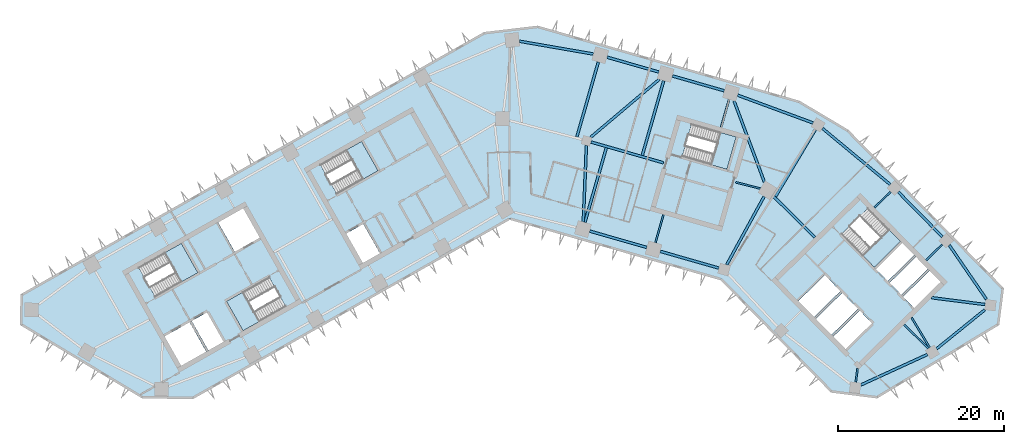
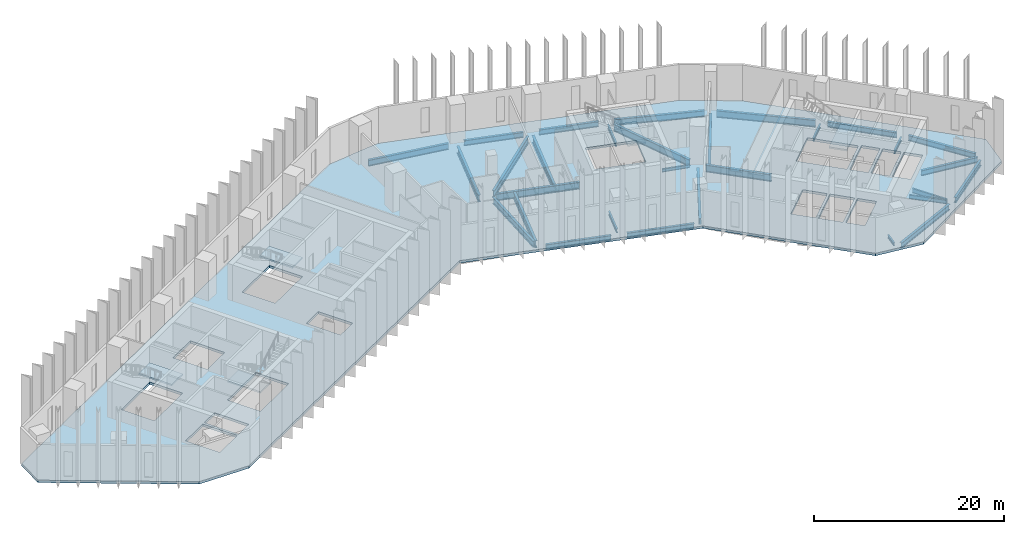
# One storey, part 2 of 11: 30 beams, 6 slabs, 5 elements without a shape of their own.
"""IFC4 building model written with IfcOpenShell, lengths in metres."""

from ifc_helpers import new_model, si_unit, direction, frame, origin, origin_2d, place, context, subcontext, project, spatial, polyline, i_section, outline, extrude, material, layer, layer_set, material_profile, profile_set, type_object, element, aggregate, save


model = new_model("IFC4")

# Units and contexts
model_context = context("Model", 3, precision=1e-05, world=origin(), true_north=direction((0.0, 1.0)))
body_context = subcontext(model_context, "Body", "Model", "MODEL_VIEW")
ifc_project = project(units=[si_unit("LENGTHUNIT", "METRE"), si_unit("AREAUNIT", "SQUARE_METRE"), si_unit("VOLUMEUNIT", "CUBIC_METRE"), si_unit("PLANEANGLEUNIT", "RADIAN"), si_unit("MASSUNIT", "GRAM", prefix="KILO")], contexts=[model_context])

# Site, building, storey
site_placement = place(None, origin())
site = spatial("IfcSite", under=ifc_project, at=site_placement, CompositionType="ELEMENT")
building_placement = place(site_placement, origin())
building = spatial("IfcBuilding", under=site, at=building_placement, Name="Binnacle Exchange Tower", CompositionType="ELEMENT")
storey_placement = place(building_placement, frame((0.0, 0.0, 56.5)))
storey = spatial("IfcBuildingStorey", under=building, at=storey_placement, Name="L11", CompositionType="ELEMENT", Elevation=56.5)

# Beams
ifc_material_1 = material(Name="Steel S355 (SHN355)", Category="steel")
ifc_material_profile_1 = material_profile(ifc_material_1, i_section(OverallWidth=0.300048828125, OverallDepth=0.699951171875, WebThickness=0.012939453125, FlangeThickness=0.02392578125, FilletRadius=0.028076171875, at=origin_2d()), Name="H 700x300x13x24")
ifc_profile_set_1 = profile_set([ifc_material_profile_1], Name="Steel S355 (SHN355)")
beam_type_1 = type_object("IfcBeamType", Name="Edge girder H 700x300x13x24 Steel S355 (SHN355)", PredefinedType="SPANDREL", material=ifc_profile_set_1)
beam_1_placement = place(storey_placement, frame((9.626708984375, 46.488037109375, -0.669921875), z_axis=(0.961260850036, -0.275640305812, 0.0), x_axis=(0.275640305812, 0.961260850036, 0.0)))
element("IfcBeam", 1, at=beam_1_placement, inside=storey, type_object=beam_type_1, Name="S:BM:edge:L11:030", PredefinedType="SPANDREL", context=body_context, shape_type="SweptSolid", body=[
    extrude(i_section(OverallWidth=0.300048828125, OverallDepth=0.699951171875, WebThickness=0.012939453125, FlangeThickness=0.02392578125, FilletRadius=0.028076171875, at=origin_2d()), origin(), (0.0, 0.0, 1.0), 7.120361328125),
])
beam_2_placement = place(storey_placement, frame((17.92919921875, 65.610595703125, -0.669921875), z_axis=(-0.961261624999, 0.275637603213, 0.0), x_axis=(-0.275637603213, -0.961261624999, 0.0)))
element("IfcBeam", 2, at=beam_2_placement, inside=storey, type_object=beam_type_1, Name="S:BM:edge:L11:032", PredefinedType="SPANDREL", context=body_context, shape_type="SweptSolid", body=[
    extrude(i_section(OverallWidth=0.300048828125, OverallDepth=0.699951171875, WebThickness=0.012939453125, FlangeThickness=0.02392578125, FilletRadius=0.028076171875, at=origin_2d()), origin(), (0.0, 0.0, 1.0), 6.472900390625),
])
beam_3_placement = place(storey_placement, frame((18.105224609375, 44.056884765625, -0.669921875), z_axis=(0.96126047873, -0.275641600691, 0.0), x_axis=(0.275641600691, 0.96126047873, 0.0)))
element("IfcBeam", 3, at=beam_3_placement, inside=storey, type_object=beam_type_1, Name="S:BM:edge:L11:033", PredefinedType="SPANDREL", context=body_context, shape_type="SweptSolid", body=[
    extrude(i_section(OverallWidth=0.300048828125, OverallDepth=0.699951171875, WebThickness=0.012939453125, FlangeThickness=0.02392578125, FilletRadius=0.028076171875, at=origin_2d()), origin(), (0.0, 0.0, 1.0), 7.320556640625),
])
beam_4_placement = place(storey_placement, frame((25.78564453125, 63.35791015625, -0.669921875), z_axis=(-0.961271618025, 0.275602751036, 0.0), x_axis=(-0.275602751036, -0.961271618025, 0.0)))
element("IfcBeam", 4, at=beam_4_placement, inside=storey, type_object=beam_type_1, Name="S:BM:edge:L11:034", PredefinedType="SPANDREL", context=body_context, shape_type="SweptSolid", body=[
    extrude(i_section(OverallWidth=0.300048828125, OverallDepth=0.699951171875, WebThickness=0.012939453125, FlangeThickness=0.02392578125, FilletRadius=0.028076171875, at=origin_2d()), origin(), (0.0, 0.0, 1.0), 6.472900390625),
])
beam_5_placement = place(storey_placement, frame((51.322265625, 32.343505859375, -0.669921875), z_axis=(0.777568489665, 0.628798253719, 0.0), x_axis=(-0.628798253719, 0.777568489665, 0.0)))
element("IfcBeam", 5, at=beam_5_placement, inside=storey, type_object=beam_type_1, Name="S:BM:edge:L11:040", PredefinedType="SPANDREL", context=body_context, shape_type="SweptSolid", body=[
    extrude(i_section(OverallWidth=0.300048828125, OverallDepth=0.699951171875, WebThickness=0.012939453125, FlangeThickness=0.02392578125, FilletRadius=0.028076171875, at=origin_2d()), origin(), (0.0, 0.0, 1.0), 7.428955078125),
])
beam_6_placement = place(storey_placement, frame((52.010986328125, 45.802978515625, -0.669921875), z_axis=(-0.700905226564, 0.713254417004, 0.0), x_axis=(-0.713254417004, -0.700905226564, 0.0)))
element("IfcBeam", 6, at=beam_6_placement, inside=storey, type_object=beam_type_1, Name="S:BM:edge:L11:041", PredefinedType="SPANDREL", context=body_context, shape_type="SweptSolid", body=[
    extrude(i_section(OverallWidth=0.300048828125, OverallDepth=0.699951171875, WebThickness=0.012939453125, FlangeThickness=0.02392578125, FilletRadius=0.028076171875, at=origin_2d()), origin(), (0.0, 0.0, 1.0), 7.57177734375),
])
beam_7_placement = place(storey_placement, frame((57.305419921875, 38.299072265625, -0.669921875), z_axis=(-0.566409202341, 0.82412415054, 0.0), x_axis=(-0.82412415054, -0.566409202341, 0.0)))
element("IfcBeam", 7, at=beam_7_placement, inside=storey, type_object=beam_type_1, Name="S:BM:edge:L11:042", PredefinedType="SPANDREL", context=body_context, shape_type="SweptSolid", body=[
    extrude(i_section(OverallWidth=0.300048828125, OverallDepth=0.699951171875, WebThickness=0.012939453125, FlangeThickness=0.02392578125, FilletRadius=0.028076171875, at=origin_2d()), origin(), (0.0, 0.0, 1.0), 7.8828125),
])
ifc_material_profile_2 = material_profile(ifc_material_1, i_section(OverallWidth=0.302001953125, OverallDepth=0.7080078125, WebThickness=0.014892578125, FlangeThickness=0.028076171875, FilletRadius=0.028076171875, at=origin_2d()), Name="H 708x302x15x28")
ifc_profile_set_2 = profile_set([ifc_material_profile_2], Name="Steel S355 (SHN355)")
beam_type_2 = type_object("IfcBeamType", Name="Edge girder H 708x302x15x28 Steel S355 (SHN355)", PredefinedType="SPANDREL", material=ifc_profile_set_2)
beam_8_placement = place(storey_placement, frame((42.215576171875, 27.99365234375, -0.674072265625), z_axis=(0.909179052108, 0.416405392866, 0.0), x_axis=(-0.416405392866, 0.909179052108, 0.0)))
element("IfcBeam", 8, at=beam_8_placement, inside=storey, type_object=beam_type_2, Name="S:BM:edge:L11:038", PredefinedType="SPANDREL", context=body_context, shape_type="SweptSolid", body=[
    extrude(i_section(OverallWidth=0.302001953125, OverallDepth=0.7080078125, WebThickness=0.014892578125, FlangeThickness=0.028076171875, FilletRadius=0.028076171875, at=origin_2d()), origin(), (0.0, 0.0, 1.0), 8.801025390625),
])
ifc_material_profile_3 = material_profile(ifc_material_1, i_section(OverallWidth=0.300048828125, OverallDepth=0.800048828125, WebThickness=0.013916015625, FlangeThickness=0.02587890625, FilletRadius=0.028076171875, at=origin_2d()), Name="H 800x300x14x26")
ifc_profile_set_3 = profile_set([ifc_material_profile_3], Name="Steel S355 (SHN355)")
beam_type_3 = type_object("IfcBeamType", Name="Edge girder H 800x300x14x26 Steel S355 (SHN355)", PredefinedType="SPANDREL", material=ifc_profile_set_3)
beam_9_placement = place(storey_placement, frame((10.047607421875, 67.77490234375, -0.719970703125), z_axis=(-0.985312460293, 0.17076110679, 0.0), x_axis=(-0.17076110679, -0.985312460293, 0.0)))
element("IfcBeam", 9, at=beam_9_placement, inside=storey, type_object=beam_type_3, Name="S:BM:edge:L11:031", PredefinedType="SPANDREL", context=body_context, shape_type="SweptSolid", body=[
    extrude(i_section(OverallWidth=0.300048828125, OverallDepth=0.800048828125, WebThickness=0.013916015625, FlangeThickness=0.02587890625, FilletRadius=0.028076171875, at=origin_2d()), origin(), (0.0, 0.0, 1.0), 9.005859375),
])
ifc_material_profile_4 = material_profile(ifc_material_1, i_section(OverallWidth=0.302001953125, OverallDepth=0.80810546875, WebThickness=0.01611328125, FlangeThickness=0.030029296875, FilletRadius=0.028076171875, at=origin_2d()), Name="H 808x302x16x30")
ifc_profile_set_4 = profile_set([ifc_material_profile_4], Name="Steel S355 (SHN355)")
beam_type_4 = type_object("IfcBeamType", Name="Edge girder H 808x302x16x30 Steel S355 (SHN355)", PredefinedType="SPANDREL", material=ifc_profile_set_4)
beam_10_placement = place(storey_placement, frame((36.464599609375, 59.490966796875, -0.72412109375), z_axis=(-0.938368148393, 0.345637408395, 0.0), x_axis=(-0.345637408395, -0.938368148393, 0.0)))
element("IfcBeam", 10, at=beam_10_placement, inside=storey, type_object=beam_type_4, Name="S:BM:edge:L11:037", PredefinedType="SPANDREL", context=body_context, shape_type="SweptSolid", body=[
    extrude(i_section(OverallWidth=0.302001953125, OverallDepth=0.80810546875, WebThickness=0.01611328125, FlangeThickness=0.030029296875, FilletRadius=0.028076171875, at=origin_2d()), origin(), (0.0, 0.0, 1.0), 9.6572265625),
])
ifc_material_profile_5 = material_profile(ifc_material_1, i_section(OverallWidth=0.300048828125, OverallDepth=0.89990234375, WebThickness=0.01611328125, FlangeThickness=0.028076171875, FilletRadius=0.028076171875, at=origin_2d()), Name="H 900x300x16x28")
ifc_profile_set_5 = profile_set([ifc_material_profile_5], Name="Steel S355 (SHN355)")
beam_type_5 = type_object("IfcBeamType", Name="Edge girder H 900x300x16x28 Steel S355 (SHN355)", PredefinedType="SPANDREL", material=ifc_profile_set_5)
beam_11_placement = place(storey_placement, frame((45.7451171875, 52.084228515625, -0.77001953125), z_axis=(-0.769906025895, 0.638157277864, 0.0), x_axis=(-0.638157277864, -0.769906025895, 0.0)))
element("IfcBeam", 11, at=beam_11_placement, inside=storey, type_object=beam_type_5, Name="S:BM:edge:L11:039", PredefinedType="SPANDREL", context=body_context, shape_type="SweptSolid", body=[
    extrude(i_section(OverallWidth=0.300048828125, OverallDepth=0.89990234375, WebThickness=0.01611328125, FlangeThickness=0.028076171875, FilletRadius=0.028076171875, at=origin_2d()), origin(), (0.0, 0.0, 1.0), 10.59033203125),
])
ifc_material_profile_6 = material_profile(ifc_material_1, i_section(OverallWidth=0.199951171875, OverallDepth=0.39990234375, WebThickness=0.008056640625, FlangeThickness=0.012939453125, FilletRadius=0.01611328125, at=origin_2d()), Name="H 400x200x8x13")
ifc_profile_set_6 = profile_set([ifc_material_profile_6], Name="Steel S355 (SHN355)")
beam_type_6 = type_object("IfcBeamType", Name="Floor beam H 400x200x8x13 Steel S355 (SHN355)", PredefinedType="BEAM", material=ifc_profile_set_6)
beam_12_placement = place(storey_placement, frame((41.601806640625, 28.319580078125, -0.52001953125), z_axis=(0.126197116971, 0.992005185303, 0.0), x_axis=(-0.992005185303, 0.126197116971, 0.0)))
element("IfcBeam", 12, at=beam_12_placement, inside=storey, type_object=beam_type_6, Name="S:BM:cross:L11:063", PredefinedType="BEAM", context=body_context, shape_type="SweptSolid", body=[
    extrude(i_section(OverallWidth=0.199951171875, OverallDepth=0.39990234375, WebThickness=0.008056640625, FlangeThickness=0.012939453125, FilletRadius=0.01611328125, at=origin_2d()), origin(), (0.0, 0.0, 1.0), 1.68115234375),
])
ifc_material_profile_7 = material_profile(ifc_material_1, i_section(OverallWidth=0.199951171875, OverallDepth=0.449951171875, WebThickness=0.009033203125, FlangeThickness=0.013916015625, FilletRadius=0.01806640625, at=origin_2d()), Name="H 450x200x9x14")
ifc_profile_set_7 = profile_set([ifc_material_profile_7], Name="Steel S355 (SHN355)")
beam_type_7 = type_object("IfcBeamType", Name="Floor beam H 450x200x9x14 Steel S355 (SHN355)", PredefinedType="BEAM", material=ifc_profile_set_7)
for number, where, z_axis, x_axis, name in (
    (13, (45.78466796875, 51.211669921875, -0.544921875), (-0.713299272232, -0.700859578113, 0.0), (0.700859578113, -0.713299272232, 0.0), "S:BM:cross:L11:064"),
    (14, (52.003173828125, 44.8837890625, -0.544921875), (-0.713254209224, -0.700905438004, 0.0), (0.700905438004, -0.713254209224, 0.0), "S:BM:cross:L11:066"),
):
    element("IfcBeam", number, at=place(storey_placement, frame(where, z_axis=z_axis, x_axis=x_axis)), inside=storey, type_object=beam_type_7, Name=name, PredefinedType="BEAM", context=body_context, shape_type="SweptSolid", body=[
        extrude(i_section(OverallWidth=0.199951171875, OverallDepth=0.449951171875, WebThickness=0.009033203125, FlangeThickness=0.013916015625, FilletRadius=0.01806640625, at=origin_2d()), origin(), (0.0, 0.0, 1.0), 2.70849609375),
    ])
ifc_material_profile_8 = material_profile(ifc_material_1, i_section(OverallWidth=0.200927734375, OverallDepth=0.506103515625, WebThickness=0.010986328125, FlangeThickness=0.01904296875, FilletRadius=0.02001953125, at=origin_2d()), Name="H 506x201x11x19")
ifc_profile_set_8 = profile_set([ifc_material_profile_8], Name="Steel S355 (SHN355)")
beam_type_8 = type_object("IfcBeamType", Name="Floor beam H 506x201x11x19 Steel S355 (SHN355)", PredefinedType="BEAM", material=ifc_profile_set_8)
for number, where, z_axis, x_axis, name in (
    (15, (17.5224609375, 45.108154296875, -0.572998046875), (0.275655468279, 0.961256502089, 0.0), (-0.961256502089, 0.275655468279, 0.0), "S:BM:cross:L11:058"),
    (16, (26.368408203125, 62.306396484375, -0.572998046875), (-0.275655468279, -0.961256502089, 0.0), (0.961256502089, -0.275655468279, 0.0), "S:BM:cross:L11:060"),
):
    element("IfcBeam", number, at=place(storey_placement, frame(where, z_axis=z_axis, x_axis=x_axis)), inside=storey, type_object=beam_type_8, Name=name, PredefinedType="BEAM", context=body_context, shape_type="SweptSolid", body=[
        extrude(i_section(OverallWidth=0.200927734375, OverallDepth=0.506103515625, WebThickness=0.010986328125, FlangeThickness=0.01904296875, FilletRadius=0.02001953125, at=origin_2d()), origin(), (0.0, 0.0, 1.0), 3.485107421875),
    ])
ifc_material_profile_9 = material_profile(ifc_material_1, i_section(OverallWidth=0.199951171875, OverallDepth=0.60009765625, WebThickness=0.010986328125, FlangeThickness=0.01708984375, FilletRadius=0.02197265625, at=origin_2d()), Name="H 600x200x11x17")
ifc_profile_set_9 = profile_set([ifc_material_profile_9], Name="Steel S355 (SHN355)")
beam_type_9 = type_object("IfcBeamType", Name="Floor beam H 600x200x11x17 Steel S355 (SHN355)", PredefinedType="BEAM", material=ifc_profile_set_9)
beam_13_placement = place(storey_placement, frame((50.477294921875, 32.488037109375, -0.6201171875), z_axis=(-0.515057466438, 0.857155648798, 0.0), x_axis=(-0.857155648798, -0.515057466438, 0.0)))
element("IfcBeam", 17, at=beam_13_placement, inside=storey, type_object=beam_type_9, Name="S:BM:cross:L11:065", PredefinedType="BEAM", context=body_context, shape_type="SweptSolid", body=[
    extrude(i_section(OverallWidth=0.199951171875, OverallDepth=0.60009765625, WebThickness=0.010986328125, FlangeThickness=0.01708984375, FilletRadius=0.02197265625, at=origin_2d()), origin(), (0.0, 0.0, 1.0), 4.2177734375),
])
ifc_material_profile_10 = material_profile(ifc_material_1, i_section(OverallWidth=0.300048828125, OverallDepth=0.699951171875, WebThickness=0.012939453125, FlangeThickness=0.02392578125, FilletRadius=0.028076171875, at=origin_2d()), Name="H 700x300x13x24")
ifc_profile_set_10 = profile_set([ifc_material_profile_10], Name="Steel S355 (SHN355)")
beam_type_10 = type_object("IfcBeamType", Name="Floor beam H 700x300x13x24 Steel S355 (SHN355)", PredefinedType="BEAM", material=ifc_profile_set_10)
beam_14_placement = place(storey_placement, frame((57.154296875, 37.6630859375, -0.669921875), z_axis=(-0.992006658356, 0.126185537116, 0.0), x_axis=(-0.126185537116, -0.992006658356, 0.0)))
element("IfcBeam", 18, at=beam_14_placement, inside=storey, type_object=beam_type_10, Name="S:BM:cross:L11:067", PredefinedType="BEAM", context=body_context, shape_type="SweptSolid", body=[
    extrude(i_section(OverallWidth=0.300048828125, OverallDepth=0.699951171875, WebThickness=0.012939453125, FlangeThickness=0.02392578125, FilletRadius=0.028076171875, at=origin_2d()), origin(), (0.0, 0.0, 1.0), 6.4814453125),
])
ifc_material_profile_11 = material_profile(ifc_material_1, i_section(OverallWidth=0.302978515625, OverallDepth=0.91796875, WebThickness=0.01904296875, FlangeThickness=0.037109375, FilletRadius=0.028076171875, at=origin_2d()), Name="H 918x303x19x37")
ifc_profile_set_11 = profile_set([ifc_material_profile_11], Name="Steel S355 (SHN355)")
beam_type_11 = type_object("IfcBeamType", Name="Floor beam H 918x303x19x37 Steel S355 (SHN355)", PredefinedType="BEAM", material=ifc_profile_set_11)
beam_15_placement = place(storey_placement, frame((9.043701171875, 47.539306640625, -0.779052734375), z_axis=(0.275646698205, 0.961259017003, 0.0), x_axis=(-0.961259017003, 0.275646698205, 0.0)))
element("IfcBeam", 19, at=beam_15_placement, inside=storey, type_object=beam_type_11, Name="S:BM:cross:L11:056", PredefinedType="BEAM", context=body_context, shape_type="SweptSolid", body=[
    extrude(i_section(OverallWidth=0.302978515625, OverallDepth=0.91796875, WebThickness=0.01904296875, FlangeThickness=0.037109375, FilletRadius=0.028076171875, at=origin_2d()), origin(), (0.0, 0.0, 1.0), 9.335205078125),
])
beam_16_placement = place(storey_placement, frame((10.65576171875, 66.81201171875, -0.779052734375), z_axis=(-0.275626703457, -0.961264750389, 0.0), x_axis=(0.961264750389, -0.275626703457, 0.0)))
element("IfcBeam", 20, at=beam_16_placement, inside=storey, type_object=beam_type_11, Name="S:BM:cross:L11:057", PredefinedType="BEAM", context=body_context, shape_type="SweptSolid", body=[
    extrude(i_section(OverallWidth=0.302978515625, OverallDepth=0.91796875, WebThickness=0.01904296875, FlangeThickness=0.037109375, FilletRadius=0.028076171875, at=origin_2d()), origin(), (0.0, 0.0, 1.0), 9.363525390625),
])
beam_17_placement = place(storey_placement, frame((18.511962890625, 64.55908203125, -0.779052734375), z_axis=(-0.275629461812, -0.961263959473, 0.0), x_axis=(0.961263959473, -0.275629461812, 0.0)))
element("IfcBeam", 21, at=beam_17_placement, inside=storey, type_object=beam_type_11, Name="S:BM:cross:L11:059", PredefinedType="BEAM", context=body_context, shape_type="SweptSolid", body=[
    extrude(i_section(OverallWidth=0.302978515625, OverallDepth=0.91796875, WebThickness=0.01904296875, FlangeThickness=0.037109375, FilletRadius=0.028076171875, at=origin_2d()), origin(), (0.0, 0.0, 1.0), 9.3349609375),
])
beam_18_placement = place(storey_placement, frame((36.752685546875, 58.703857421875, -0.779052734375), z_axis=(-0.511298188751, -0.859403375709, 0.0), x_axis=(0.859403375709, -0.511298188751, 0.0)))
element("IfcBeam", 22, at=beam_18_placement, inside=storey, type_object=beam_type_11, Name="S:BM:cross:L11:062", PredefinedType="BEAM", context=body_context, shape_type="SweptSolid", body=[
    extrude(i_section(OverallWidth=0.302978515625, OverallDepth=0.91796875, WebThickness=0.01904296875, FlangeThickness=0.037109375, FilletRadius=0.028076171875, at=origin_2d()), origin(), (0.0, 0.0, 1.0), 9.385986328125),
])
ifc_material_profile_12 = material_profile(ifc_material_1, i_section(OverallWidth=0.199951171875, OverallDepth=0.39990234375, WebThickness=0.008056640625, FlangeThickness=0.012939453125, FilletRadius=0.01611328125, at=origin_2d()), Name="H 400x200x8x13")
ifc_profile_set_12 = profile_set([ifc_material_profile_12], Name="Steel S355 (SHN355)")
beam_type_12 = type_object("IfcBeamType", Name="Spine girder H 400x200x8x13 Steel S355 (SHN355)", PredefinedType="BEAM", material=ifc_profile_set_12)
beam_19_placement = place(storey_placement, frame((27.17138671875, 52.35400390625, -0.52001953125), z_axis=(0.969359627701, -0.245645908136, 0.0), x_axis=(0.245645908136, 0.969359627701, 0.0)))
element("IfcBeam", 23, at=beam_19_placement, inside=storey, type_object=beam_type_12, Name="S:BM:spine:L11:010", PredefinedType="BEAM", context=body_context, shape_type="SweptSolid", body=[
    extrude(i_section(OverallWidth=0.199951171875, OverallDepth=0.39990234375, WebThickness=0.008056640625, FlangeThickness=0.012939453125, FilletRadius=0.01611328125, at=origin_2d()), origin(), (0.0, 0.0, 1.0), 3.046142578125),
])
ifc_material_profile_13 = material_profile(ifc_material_1, i_section(OverallWidth=0.200927734375, OverallDepth=0.506103515625, WebThickness=0.010986328125, FlangeThickness=0.01904296875, FilletRadius=0.02001953125, at=origin_2d()), Name="H 506x201x11x19")
ifc_profile_set_13 = profile_set([ifc_material_profile_13], Name="Steel S355 (SHN355)")
beam_type_13 = type_object("IfcBeamType", Name="Spine girder H 506x201x11x19 Steel S355 (SHN355)", PredefinedType="BEAM", material=ifc_profile_set_13)
beam_20_placement = place(storey_placement, frame((47.417236328125, 35.23095703125, -0.572998046875), z_axis=(0.717013275689, -0.697059511437, 0.0), x_axis=(0.697059511437, 0.717013275689, 0.0)))
element("IfcBeam", 24, at=beam_20_placement, inside=storey, type_object=beam_type_13, Name="S:BM:spine:L11:014", PredefinedType="BEAM", context=body_context, shape_type="SweptSolid", body=[
    extrude(i_section(OverallWidth=0.200927734375, OverallDepth=0.506103515625, WebThickness=0.010986328125, FlangeThickness=0.01904296875, FilletRadius=0.02001953125, at=origin_2d()), origin(), (0.0, 0.0, 1.0), 4.06201171875),
])
ifc_material_profile_14 = material_profile(ifc_material_1, i_section(OverallWidth=0.302001953125, OverallDepth=0.80810546875, WebThickness=0.01611328125, FlangeThickness=0.030029296875, FilletRadius=0.028076171875, at=origin_2d()), Name="H 808x302x16x30")
ifc_profile_set_14 = profile_set([ifc_material_profile_14], Name="Steel S355 (SHN355)")
beam_type_14 = type_object("IfcBeamType", Name="Spine girder H 808x302x16x30 Steel S355 (SHN355)", PredefinedType="BEAM", material=ifc_profile_set_14)
beam_21_placement = place(storey_placement, frame((9.218017578125, 56.78466796875, -0.72412109375), z_axis=(-0.040567083206, -0.999176817065, 0.0), x_axis=(0.999176817065, -0.040567083206, 0.0)))
element("IfcBeam", 25, at=beam_21_placement, inside=storey, type_object=beam_type_14, Name="S:BM:spine:L11:007", PredefinedType="BEAM", context=body_context, shape_type="SweptSolid", body=[
    extrude(i_section(OverallWidth=0.302001953125, OverallDepth=0.80810546875, WebThickness=0.01611328125, FlangeThickness=0.030029296875, FilletRadius=0.028076171875, at=origin_2d()), origin(), (0.0, 0.0, 1.0), 9.19580078125),
])
beam_22_placement = place(storey_placement, frame((30.580078125, 50.6396484375, -0.72412109375), z_axis=(-0.480716000085, -0.87687634662, 0.0), x_axis=(0.87687634662, -0.480716000085, 0.0)))
element("IfcBeam", 26, at=beam_22_placement, inside=storey, type_object=beam_type_14, Name="S:BM:spine:L11:011", PredefinedType="BEAM", context=body_context, shape_type="SweptSolid", body=[
    extrude(i_section(OverallWidth=0.302001953125, OverallDepth=0.80810546875, WebThickness=0.01611328125, FlangeThickness=0.030029296875, FilletRadius=0.028076171875, at=origin_2d()), origin(), (0.0, 0.0, 1.0), 9.34619140625),
])
ifc_material_profile_15 = material_profile(ifc_material_1, i_section(OverallWidth=0.302001953125, OverallDepth=0.912109375, WebThickness=0.01806640625, FlangeThickness=0.033935546875, FilletRadius=0.028076171875, at=origin_2d()), Name="H 912x302x18x34")
ifc_profile_set_15 = profile_set([ifc_material_profile_15], Name="Steel S355 (SHN355)")
beam_type_15 = type_object("IfcBeamType", Name="Spine girder H 912x302x18x34 Steel S355 (SHN355)", PredefinedType="BEAM", material=ifc_profile_set_15)
beam_23_placement = place(storey_placement, frame((9.74658203125, 57.77734375, -0.77587890625), z_axis=(0.764072930463, 0.64512987602, 0.0), x_axis=(-0.64512987602, 0.764072930463, 0.0)))
element("IfcBeam", 27, at=beam_23_placement, inside=storey, type_object=beam_type_15, Name="S:BM:spine:L11:008", PredefinedType="BEAM", context=body_context, shape_type="SweptSolid", body=[
    extrude(i_section(OverallWidth=0.302001953125, OverallDepth=0.912109375, WebThickness=0.01806640625, FlangeThickness=0.033935546875, FilletRadius=0.028076171875, at=origin_2d()), origin(), (0.0, 0.0, 1.0), 10.755615234375),
])
beam_24_placement = place(storey_placement, frame((30.614501953125, 52.389892578125, -0.77587890625), z_axis=(-0.350104624168, 0.936710602126, 0.0), x_axis=(-0.936710602126, -0.350104624168, 0.0)))
element("IfcBeam", 28, at=beam_24_placement, inside=storey, type_object=beam_type_15, Name="S:BM:spine:L11:012", PredefinedType="BEAM", context=body_context, shape_type="SweptSolid", body=[
    extrude(i_section(OverallWidth=0.302001953125, OverallDepth=0.912109375, WebThickness=0.01806640625, FlangeThickness=0.033935546875, FilletRadius=0.028076171875, at=origin_2d()), origin(), (0.0, 0.0, 1.0), 10.4013671875),
])
ifc_material_profile_16 = material_profile(ifc_material_1, i_section(OverallWidth=0.302978515625, OverallDepth=0.91796875, WebThickness=0.01904296875, FlangeThickness=0.037109375, FilletRadius=0.028076171875, at=origin_2d()), Name="H 918x303x19x37")
ifc_profile_set_16 = profile_set([ifc_material_profile_16], Name="Steel S355 (SHN355)")
beam_type_16 = type_object("IfcBeamType", Name="Spine girder H 918x303x19x37 Steel S355 (SHN355)", PredefinedType="BEAM", material=ifc_profile_set_16)
beam_25_placement = place(storey_placement, frame((9.76953125, 57.198486328125, -0.779052734375), z_axis=(0.961265329417, -0.275624684057, 0.0), x_axis=(0.275624684057, 0.961265329417, 0.0)))
element("IfcBeam", 29, at=beam_25_placement, inside=storey, type_object=beam_type_16, Name="S:BM:spine:L11:009", PredefinedType="BEAM", context=body_context, shape_type="SweptSolid", body=[
    extrude(i_section(OverallWidth=0.302978515625, OverallDepth=0.91796875, WebThickness=0.01904296875, FlangeThickness=0.037109375, FilletRadius=0.028076171875, at=origin_2d()), origin(), (0.0, 0.0, 1.0), 9.063232421875),
])
beam_26_placement = place(storey_placement, frame((31.60888671875, 50.773681640625, -0.779052734375), z_axis=(0.711013452478, -0.703178405809, 0.0), x_axis=(0.703178405809, 0.711013452478, 0.0)))
element("IfcBeam", 30, at=beam_26_placement, inside=storey, type_object=beam_type_16, Name="S:BM:spine:L11:013", PredefinedType="BEAM", context=body_context, shape_type="SweptSolid", body=[
    extrude(i_section(OverallWidth=0.302978515625, OverallDepth=0.91796875, WebThickness=0.01904296875, FlangeThickness=0.037109375, FilletRadius=0.028076171875, at=origin_2d()), origin(), (0.0, 0.0, 1.0), 7.166748046875),
])

# Slab
ifc_material_2 = material(Name="Concrete C35/45", Category="concrete")
ifc_layer_1 = layer(ifc_material_2, 0.320068359375)
ifc_layer_set_1 = layer_set([ifc_layer_1], Name="Floor slab 320 Concrete C35/45")
slab_type_1 = type_object("IfcSlabType", Name="Floor slab 320 Concrete C35/45", PredefinedType="FLOOR", material=ifc_layer_set_1)
slab_1_placement = place(storey_placement, frame((0.0, 0.0, -0.320068359375)))
element("IfcSlab", 31, at=slab_1_placement, inside=storey, type_object=slab_type_1, Name="S:SL:L11:01", PredefinedType="FLOOR", context=body_context, shape_type="SweptSolid", body=[
    extrude(outline(polyline([(59.262939453125, 39.5791015625), (58.716064453125, 35.280029296875), (44.14404296875, 26.5244140625), (38.69091796875, 27.21826171875), (25.43603515625, 40.706298828125), (0.0, 48.0), (-38.097900390625, 26.4453125), (-44.14404296875, 26.5244140625), (-58.716064453125, 35.280029296875), (-58.669921875, 38.80615234375), (-3.046142578125, 70.276611328125), (3.364501953125, 71.035400390625), (34.789794921875, 62.024169921875), (40.607421875, 58.56298828125), (59.262939453125, 39.5791015625)]), holes=[polyline([(-38.4794921875, 35.529296875), (-41.61279296875, 33.756591796875), (-39.544677734375, 30.10107421875), (-36.411376953125, 31.873779296875), (-38.4794921875, 35.529296875)]), polyline([(-34.322509765625, 33.0556640625), (-36.390625, 36.711181640625), (-38.21826171875, 35.677001953125), (-36.150146484375, 32.021484375), (-34.322509765625, 33.0556640625)]), polyline([(-34.040771484375, 38.04052734375), (-32.04638671875, 34.515625), (-26.9287109375, 37.4111328125), (-28.923095703125, 40.93603515625), (-34.040771484375, 38.04052734375)]), polyline([(-37.486572265625, 41.4912109375), (-39.480712890625, 45.01611328125), (-44.598388671875, 42.12060546875), (-42.604248046875, 38.595703125), (-37.486572265625, 41.4912109375)]), polyline([(-15.53076171875, 43.6875), (-17.598876953125, 47.343017578125), (-19.77490234375, 46.11181640625), (-17.70654296875, 42.456298828125), (-15.53076171875, 43.6875)]), polyline([(-29.914306640625, 45.775390625), (-31.982666015625, 49.430908203125), (-35.115966796875, 47.657958984375), (-33.047607421875, 44.00244140625), (-29.914306640625, 45.775390625)]), polyline([(-15.822509765625, 53.748046875), (-17.81689453125, 57.27294921875), (-22.760498046875, 54.47607421875), (-20.76611328125, 50.950927734375), (-15.822509765625, 53.748046875)]), polyline([(26.111328125, 53.9169921875), (27.227783203125, 57.810302734375), (21.864013671875, 59.348388671875), (20.74755859375, 55.455078125), (26.111328125, 53.9169921875)]), polyline([(40.268798828125, 32.201904296875), (43.549560546875, 35.426025390625), (42.07763671875, 36.923828125), (38.796875, 33.69970703125), (40.268798828125, 32.201904296875)]), polyline([(38.58642578125, 33.913818359375), (41.867431640625, 37.137939453125), (39.97509765625, 39.063720703125), (36.694091796875, 35.83935546875), (38.58642578125, 33.913818359375)]), polyline([(36.48388671875, 36.053466796875), (39.7646484375, 39.277587890625), (37.872314453125, 41.203369140625), (34.59130859375, 37.979248046875), (36.48388671875, 36.053466796875)]), polyline([(48.726806640625, 37.148681640625), (52.0078125, 40.372802734375), (50.577880859375, 41.827880859375), (47.296875, 38.603759765625), (48.726806640625, 37.148681640625)]), polyline([(47.086669921875, 38.817626953125), (50.36767578125, 42.0419921875), (48.944580078125, 43.48974609375), (45.663818359375, 40.265625), (47.086669921875, 38.817626953125)]), polyline([(45.45361328125, 40.4794921875), (48.734375, 43.703857421875), (47.3115234375, 45.151611328125), (44.030517578125, 41.927490234375), (45.45361328125, 40.4794921875)]), polyline([(43.8203125, 42.141357421875), (46.994384765625, 45.260498046875), (43.083251953125, 49.240478515625), (39.9091796875, 46.121337890625), (43.8203125, 42.141357421875)])]), origin(), (0.0, 0.0, 1.0), 0.320068359375),
])

# Stair, slab
stair_type = type_object("IfcStairType", Name="STAIR 28 RISERS 179", PredefinedType="HALF_TURN_STAIR", material=ifc_material_2)
stair_1_placement = place(storey_placement, origin())
stair_1 = element("IfcStair", 32, at=stair_1_placement, inside=storey, type_object=stair_type, Name="L11 Escape stair A1", PredefinedType="HALF_TURN_STAIR")
ifc_layer_2 = layer(ifc_material_2, 0.199951171875)
ifc_layer_set_2 = layer_set([ifc_layer_2], Name="STAIR LANDING 200")
slab_type_2 = type_object("IfcSlabType", Name="STAIR LANDING 200", PredefinedType="LANDING", material=ifc_layer_set_2)
slab_2_placement = place(storey_placement, frame((0.0, 0.0, 2.300048828125)))
slab_2 = element("IfcSlab", 33, at=slab_2_placement, type_object=slab_type_2, Name="STA1 landing 1", PredefinedType="LANDING", context=body_context, shape_type="SweptSolid", body=[
    extrude(outline(polyline([(-39.470947265625, 40.368408203125), (-37.486572265625, 41.4912109375), (-39.48095703125, 45.01611328125), (-41.46533203125, 43.893310546875), (-39.470947265625, 40.368408203125)])), origin(), (0.0, 0.0, 1.0), 0.199951171875),
])
aggregate(stair_1, [slab_2])

stair_2_placement = place(storey_placement, origin())
stair_2 = element("IfcStair", 34, at=stair_2_placement, inside=storey, type_object=stair_type, Name="L11 Escape stair A2", PredefinedType="HALF_TURN_STAIR")
slab_3_placement = place(storey_placement, frame((0.0, 0.0, 2.300048828125)))
slab_3 = element("IfcSlab", 35, at=slab_3_placement, type_object=slab_type_2, Name="STA2 landing 1", PredefinedType="LANDING", context=body_context, shape_type="SweptSolid", body=[
    extrude(outline(polyline([(-32.05615234375, 39.163330078125), (-34.040771484375, 38.04052734375), (-32.04638671875, 34.515625), (-30.06201171875, 35.638427734375), (-32.05615234375, 39.163330078125)])), origin(), (0.0, 0.0, 1.0), 0.199951171875),
])
aggregate(stair_2, [slab_3])

stair_3_placement = place(storey_placement, origin())
stair_3 = element("IfcStair", 36, at=stair_3_placement, inside=storey, type_object=stair_type, Name="L11 Escape stair B1", PredefinedType="HALF_TURN_STAIR")
slab_4_placement = place(storey_placement, frame((0.0, 0.0, 2.300048828125)))
slab_4 = element("IfcSlab", 37, at=slab_4_placement, type_object=slab_type_2, Name="STB1 landing 1", PredefinedType="LANDING", context=body_context, shape_type="SweptSolid", body=[
    extrude(outline(polyline([(42.4326171875, 43.5537109375), (43.8203125, 42.141357421875), (46.994384765625, 45.260498046875), (45.606689453125, 46.672607421875), (42.4326171875, 43.5537109375)])), origin(), (0.0, 0.0, 1.0), 0.199951171875),
])
aggregate(stair_3, [slab_4])

stair_4_placement = place(storey_placement, origin())
stair_4 = element("IfcStair", 38, at=stair_4_placement, inside=storey, type_object=stair_type, Name="L11 Escape stair C1", PredefinedType="HALF_TURN_STAIR")
slab_5_placement = place(storey_placement, frame((0.0, 0.0, 2.300048828125)))
slab_5 = element("IfcSlab", 39, at=slab_5_placement, type_object=slab_type_2, Name="STC1 landing 1", PredefinedType="LANDING", context=body_context, shape_type="SweptSolid", body=[
    extrude(outline(polyline([(-17.6328125, 52.7236328125), (-15.822509765625, 53.748046875), (-17.81689453125, 57.27294921875), (-19.627197265625, 56.248779296875), (-17.6328125, 52.7236328125)])), origin(), (0.0, 0.0, 1.0), 0.199951171875),
])
aggregate(stair_4, [slab_5])

stair_5_placement = place(storey_placement, origin())
stair_5 = element("IfcStair", 40, at=stair_5_placement, inside=storey, type_object=stair_type, Name="L11 Escape stair D1", PredefinedType="HALF_TURN_STAIR")
slab_6_placement = place(storey_placement, frame((0.0, 0.0, 2.300048828125)))
slab_6 = element("IfcSlab", 41, at=slab_6_placement, type_object=slab_type_2, Name="STD1 landing 1", PredefinedType="LANDING", context=body_context, shape_type="SweptSolid", body=[
    extrude(outline(polyline([(24.2080078125, 54.462890625), (26.111328125, 53.917236328125), (27.227783203125, 57.810302734375), (25.324462890625, 58.35595703125), (24.2080078125, 54.462890625)])), origin(), (0.0, 0.0, 1.0), 0.199951171875),
])
aggregate(stair_5, [slab_6])

save(model, "model.ifc")
